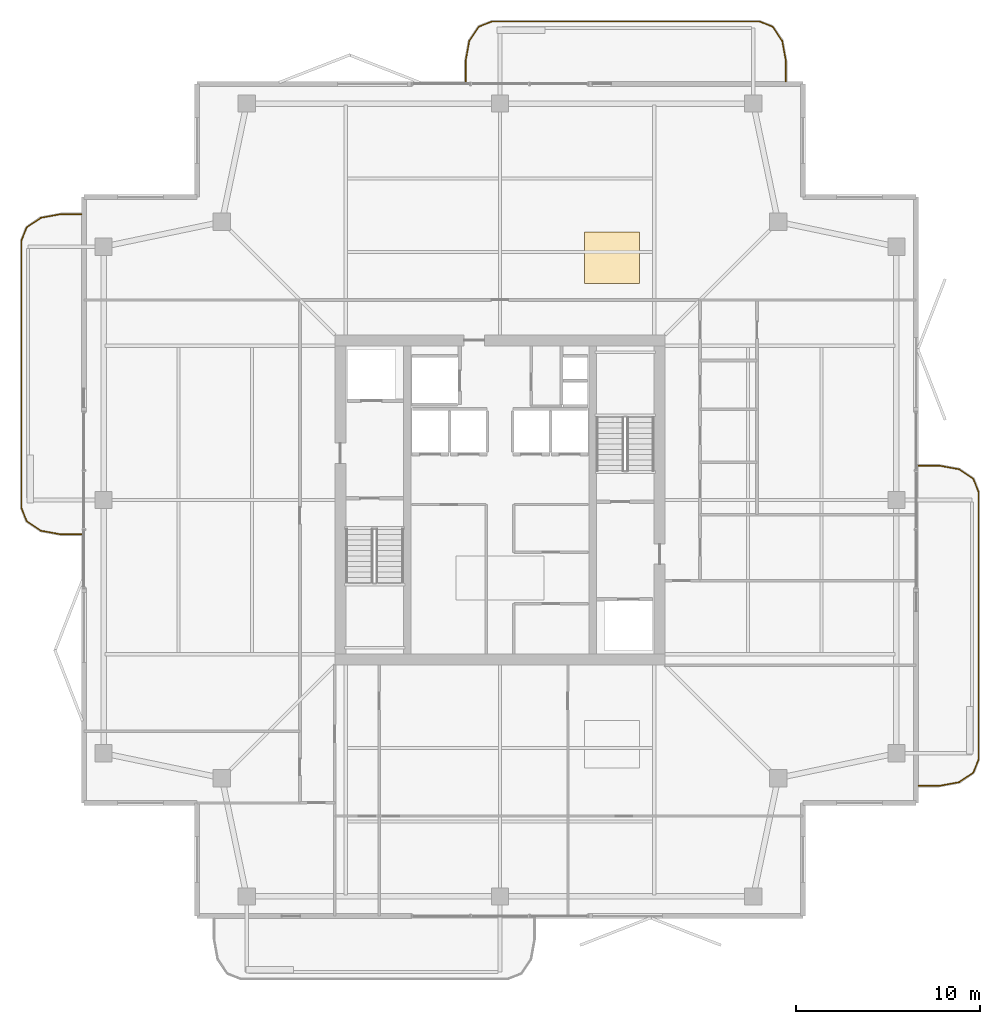
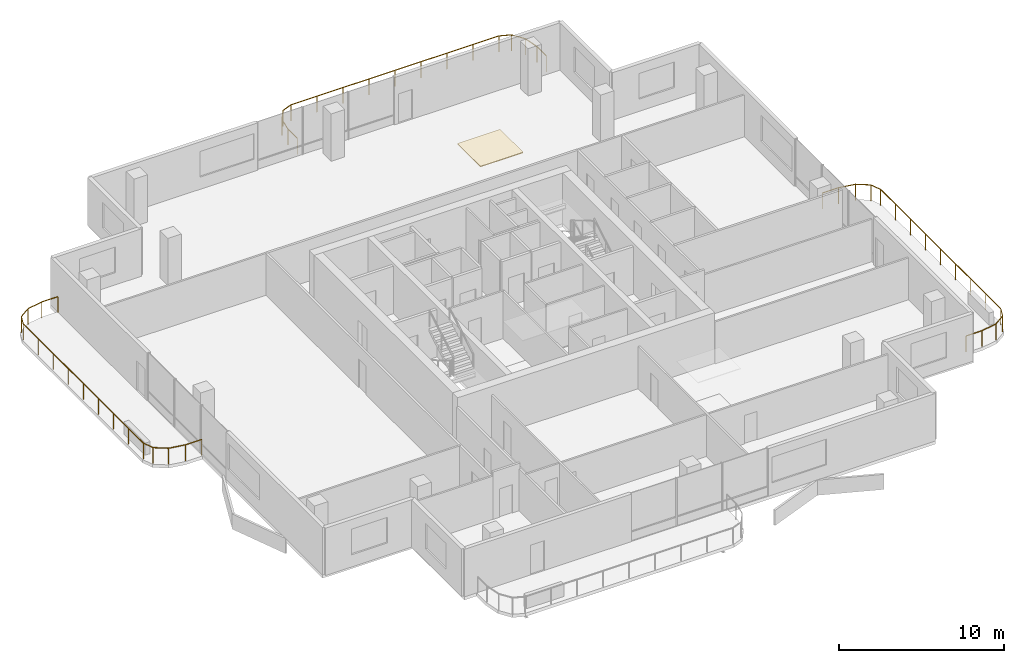
# One storey, part 17 of 17: 3 railings, 1 covering.
"""IFC4 building model written with IfcOpenShell, lengths in metres."""

from ifc_helpers import new_model, si_unit, direction, frame, origin, origin_2d, place, context, subcontext, project, spatial, polyline, rectangle, outline, extrude, material, layer, layer_set, type_object, element, save


model = new_model("IFC4")

# Units and contexts
model_context = context("Model", 3, precision=1e-05, world=origin(), true_north=direction((0.0, 1.0)))
body_context = subcontext(model_context, "Body", "Model", "MODEL_VIEW")
ifc_project = project(units=[si_unit("LENGTHUNIT", "METRE"), si_unit("AREAUNIT", "SQUARE_METRE"), si_unit("VOLUMEUNIT", "CUBIC_METRE"), si_unit("PLANEANGLEUNIT", "RADIAN"), si_unit("MASSUNIT", "GRAM", prefix="KILO")], contexts=[model_context])

# Site, building, storey
site_placement = place(None, origin())
site = spatial("IfcSite", under=ifc_project, at=site_placement, CompositionType="ELEMENT")
building_placement = place(site_placement, origin())
building = spatial("IfcBuilding", under=site, at=building_placement, Name="Belovzor Exchange Tower", CompositionType="ELEMENT")
storey_placement = place(building_placement, frame((0.0, 0.0, 325.5)))
storey = spatial("IfcBuildingStorey", under=building, at=storey_placement, Name="L81", CompositionType="ELEMENT", Elevation=325.5)

# Railings
ifc_material_1 = material(Name="Stainless Steel and Laminated Safety Glass", Category="steel")
railing_type = type_object("IfcRailingType", Name="Laminated Glass & Stainless Steel Balcony Balustrade 1200", PredefinedType="BALUSTRADE", material=ifc_material_1)
railing_1_placement = place(storey_placement, frame((44.3701171875, 51.610107421875, 0.0)))
element("IfcRailing", 1, at=railing_1_placement, inside=storey, type_object=railing_type, Name="GR-1 Balcony Balustrade L81 North", PredefinedType="BALUSTRADE", context=body_context, shape_type="SweptSolid", body=[
    extrude(rectangle(XDim=0.048095703125, YDim=0.048095703125, at=origin_2d()), frame((0.0, 0.0, 1.17578125), z_axis=(0.0, 1.0, 0.0), x_axis=(-1.0, 0.0, 0.0)), (0.0, 0.0, 1.0), 1.1328125),
    extrude(rectangle(XDim=0.048095703125, YDim=0.048095703125, at=origin_2d()), frame((0.0, 1.1328125, 1.17578125), z_axis=(-0.180083182347, 0.983651385113, 0.0), x_axis=(-0.983651385113, -0.180083182347, 0.0)), (0.0, 0.0, 1.0), 1.093994140625),
    extrude(rectangle(XDim=0.048095703125, YDim=0.048095703125, at=origin_2d()), frame((-0.197021484375, 2.208984375, 1.17578125), z_axis=(-0.56294695933, 0.826493025367, 0.0), x_axis=(-0.826493025367, -0.56294695933, 0.0)), (0.0, 0.0, 1.0), 0.932861328125),
    extrude(rectangle(XDim=0.048095703125, YDim=0.048095703125, at=origin_2d()), frame((-0.72216796875, 2.97998046875, 1.17578125), z_axis=(-0.930766990125, 0.365612923861, 0.0), x_axis=(-0.365612923861, -0.930766990125, 0.0)), (0.0, 0.0, 1.0), 0.765869140625),
    extrude(rectangle(XDim=0.048095703125, YDim=0.048095703125, at=origin_2d()), frame((-1.43505859375, 3.260009765625, 1.17578125), z_axis=(-1.0, 0.0, 0.0), x_axis=(0.0, -1.0, 0.0)), (0.0, 0.0, 1.0), 14.570068359375),
    extrude(rectangle(XDim=0.048095703125, YDim=0.048095703125, at=origin_2d()), frame((-16.005126953125, 3.260009765625, 1.17578125), z_axis=(-0.930766990125, -0.365612923861, 0.0), x_axis=(0.365612923861, -0.930766990125, 0.0)), (0.0, 0.0, 1.0), 0.765869140625),
    extrude(rectangle(XDim=0.048095703125, YDim=0.048095703125, at=origin_2d()), frame((-16.718017578125, 2.97998046875, 1.17578125), z_axis=(-0.56294695933, -0.826493025367, 0.0), x_axis=(0.826493025367, -0.56294695933, 0.0)), (0.0, 0.0, 1.0), 0.932861328125),
    extrude(rectangle(XDim=0.048095703125, YDim=0.048095703125, at=origin_2d()), frame((-17.2431640625, 2.208984375, 1.17578125), z_axis=(-0.180083182347, -0.983651385113, 0.0), x_axis=(0.983651385113, -0.180083182347, 0.0)), (0.0, 0.0, 1.0), 1.093994140625),
    extrude(rectangle(XDim=0.048095703125, YDim=0.048095703125, at=origin_2d()), frame((-17.440185546875, 1.1328125, 1.17578125), z_axis=(0.0, -1.0, 0.0), x_axis=(1.0, 0.0, 0.0)), (0.0, 0.0, 1.0), 1.1328125),
    extrude(rectangle(XDim=0.0419921875, YDim=0.0419921875, at=origin_2d()), origin(), (0.0, 0.0, 1.0), 1.15185546875),
    extrude(rectangle(XDim=0.0419921875, YDim=0.0419921875, at=origin_2d()), frame((0.0, 1.1328125, 0.0)), (0.0, 0.0, 1.0), 1.15185546875),
    extrude(rectangle(XDim=0.0419921875, YDim=0.0419921875, at=origin_2d()), frame((-0.197021484375, 2.208984375, 0.0)), (0.0, 0.0, 1.0), 1.15185546875),
    extrude(rectangle(XDim=0.0419921875, YDim=0.0419921875, at=origin_2d()), frame((-0.72216796875, 2.97998046875, 0.0)), (0.0, 0.0, 1.0), 1.15185546875),
    extrude(rectangle(XDim=0.0419921875, YDim=0.0419921875, at=origin_2d()), frame((-1.43505859375, 3.260009765625, 0.0)), (0.0, 0.0, 1.0), 1.15185546875),
    extrude(rectangle(XDim=0.0419921875, YDim=0.0419921875, at=origin_2d()), frame((-3.25634765625, 3.260009765625, 0.0)), (0.0, 0.0, 1.0), 1.15185546875),
    extrude(rectangle(XDim=0.0419921875, YDim=0.0419921875, at=origin_2d()), frame((-5.07763671875, 3.260009765625, 0.0)), (0.0, 0.0, 1.0), 1.15185546875),
    extrude(rectangle(XDim=0.0419921875, YDim=0.0419921875, at=origin_2d()), frame((-6.89892578125, 3.260009765625, 0.0)), (0.0, 0.0, 1.0), 1.15185546875),
    extrude(rectangle(XDim=0.0419921875, YDim=0.0419921875, at=origin_2d()), frame((-8.72021484375, 3.260009765625, 0.0)), (0.0, 0.0, 1.0), 1.15185546875),
    extrude(rectangle(XDim=0.0419921875, YDim=0.0419921875, at=origin_2d()), frame((-10.541259765625, 3.260009765625, 0.0)), (0.0, 0.0, 1.0), 1.15185546875),
    extrude(rectangle(XDim=0.0419921875, YDim=0.0419921875, at=origin_2d()), frame((-12.362548828125, 3.260009765625, 0.0)), (0.0, 0.0, 1.0), 1.15185546875),
    extrude(rectangle(XDim=0.0419921875, YDim=0.0419921875, at=origin_2d()), frame((-14.183837890625, 3.260009765625, 0.0)), (0.0, 0.0, 1.0), 1.15185546875),
    extrude(rectangle(XDim=0.0419921875, YDim=0.0419921875, at=origin_2d()), frame((-16.005126953125, 3.260009765625, 0.0)), (0.0, 0.0, 1.0), 1.15185546875),
    extrude(rectangle(XDim=0.0419921875, YDim=0.0419921875, at=origin_2d()), frame((-16.718017578125, 2.97998046875, 0.0)), (0.0, 0.0, 1.0), 1.15185546875),
    extrude(rectangle(XDim=0.0419921875, YDim=0.0419921875, at=origin_2d()), frame((-17.2431640625, 2.208984375, 0.0)), (0.0, 0.0, 1.0), 1.15185546875),
    extrude(rectangle(XDim=0.0419921875, YDim=0.0419921875, at=origin_2d()), frame((-17.440185546875, 1.1328125, 0.0)), (0.0, 0.0, 1.0), 1.15185546875),
    extrude(rectangle(XDim=0.0419921875, YDim=0.0419921875, at=origin_2d()), frame((-17.440185546875, 0.0, 0.0)), (0.0, 0.0, 1.0), 1.15185546875),
])
railing_2_placement = place(storey_placement, frame((51.610107421875, 13.22998046875, 0.0)))
element("IfcRailing", 2, at=railing_2_placement, inside=storey, type_object=railing_type, Name="GR-1 Balcony Balustrade L81 East", PredefinedType="BALUSTRADE", context=body_context, shape_type="SweptSolid", body=[
    extrude(rectangle(XDim=0.048095703125, YDim=0.048095703125, at=origin_2d()), frame((0.0, 0.0, 1.17578125), z_axis=(1.0, 0.0, 0.0), x_axis=(0.0, 1.0, 0.0)), (0.0, 0.0, 1.0), 1.1328125),
    extrude(rectangle(XDim=0.048095703125, YDim=0.048095703125, at=origin_2d()), frame((1.1328125, 0.0, 1.17578125), z_axis=(0.983651385113, 0.180083182347, 0.0), x_axis=(-0.180083182347, 0.983651385113, 0.0)), (0.0, 0.0, 1.0), 1.093994140625),
    extrude(rectangle(XDim=0.048095703125, YDim=0.048095703125, at=origin_2d()), frame((2.208984375, 0.197021484375, 1.17578125), z_axis=(0.826614792125, 0.562768145367, 0.0), x_axis=(-0.562768145367, 0.826614792125, 0.0)), (0.0, 0.0, 1.0), 0.9326171875),
    extrude(rectangle(XDim=0.048095703125, YDim=0.048095703125, at=origin_2d()), frame((2.97998046875, 0.721923828125, 1.17578125), z_axis=(0.365504480807, 0.930809580156, 0.0), x_axis=(-0.930809580156, 0.365504480807, 0.0)), (0.0, 0.0, 1.0), 0.76611328125),
    extrude(rectangle(XDim=0.048095703125, YDim=0.048095703125, at=origin_2d()), frame((3.260009765625, 1.43505859375, 1.17578125), z_axis=(0.0, 1.0, 0.0), x_axis=(-1.0, 0.0, 0.0)), (0.0, 0.0, 1.0), 14.570068359375),
    extrude(rectangle(XDim=0.048095703125, YDim=0.048095703125, at=origin_2d()), frame((3.260009765625, 16.005126953125, 1.17578125), z_axis=(-0.365612923861, 0.930766990125, 0.0), x_axis=(-0.930766990125, -0.365612923861, 0.0)), (0.0, 0.0, 1.0), 0.765869140625),
    extrude(rectangle(XDim=0.048095703125, YDim=0.048095703125, at=origin_2d()), frame((2.97998046875, 16.718017578125, 1.17578125), z_axis=(-0.826614792125, 0.562768145367, 0.0), x_axis=(-0.562768145367, -0.826614792125, 0.0)), (0.0, 0.0, 1.0), 0.9326171875),
    extrude(rectangle(XDim=0.048095703125, YDim=0.048095703125, at=origin_2d()), frame((2.208984375, 17.242919921875, 1.17578125), z_axis=(-0.983651385113, 0.180083182347, 0.0), x_axis=(-0.180083182347, -0.983651385113, 0.0)), (0.0, 0.0, 1.0), 1.093994140625),
    extrude(rectangle(XDim=0.048095703125, YDim=0.048095703125, at=origin_2d()), frame((1.1328125, 17.43994140625, 1.17578125), z_axis=(-1.0, 0.0, 0.0), x_axis=(0.0, -1.0, 0.0)), (0.0, 0.0, 1.0), 1.1328125),
    extrude(rectangle(XDim=0.0419921875, YDim=0.0419921875, at=origin_2d()), origin(), (0.0, 0.0, 1.0), 1.15185546875),
    extrude(rectangle(XDim=0.0419921875, YDim=0.0419921875, at=origin_2d()), frame((1.1328125, 0.0, 0.0)), (0.0, 0.0, 1.0), 1.15185546875),
    extrude(rectangle(XDim=0.0419921875, YDim=0.0419921875, at=origin_2d()), frame((2.208984375, 0.197021484375, 0.0)), (0.0, 0.0, 1.0), 1.15185546875),
    extrude(rectangle(XDim=0.0419921875, YDim=0.0419921875, at=origin_2d()), frame((2.97998046875, 0.721923828125, 0.0)), (0.0, 0.0, 1.0), 1.15185546875),
    extrude(rectangle(XDim=0.0419921875, YDim=0.0419921875, at=origin_2d()), frame((3.260009765625, 1.43505859375, 0.0)), (0.0, 0.0, 1.0), 1.15185546875),
    extrude(rectangle(XDim=0.0419921875, YDim=0.0419921875, at=origin_2d()), frame((3.260009765625, 3.25634765625, 0.0)), (0.0, 0.0, 1.0), 1.15185546875),
    extrude(rectangle(XDim=0.0419921875, YDim=0.0419921875, at=origin_2d()), frame((3.260009765625, 5.07763671875, 0.0)), (0.0, 0.0, 1.0), 1.15185546875),
    extrude(rectangle(XDim=0.0419921875, YDim=0.0419921875, at=origin_2d()), frame((3.260009765625, 6.89892578125, 0.0)), (0.0, 0.0, 1.0), 1.15185546875),
    extrude(rectangle(XDim=0.0419921875, YDim=0.0419921875, at=origin_2d()), frame((3.260009765625, 8.72021484375, 0.0)), (0.0, 0.0, 1.0), 1.15185546875),
    extrude(rectangle(XDim=0.0419921875, YDim=0.0419921875, at=origin_2d()), frame((3.260009765625, 10.541259765625, 0.0)), (0.0, 0.0, 1.0), 1.15185546875),
    extrude(rectangle(XDim=0.0419921875, YDim=0.0419921875, at=origin_2d()), frame((3.260009765625, 12.362548828125, 0.0)), (0.0, 0.0, 1.0), 1.15185546875),
    extrude(rectangle(XDim=0.0419921875, YDim=0.0419921875, at=origin_2d()), frame((3.260009765625, 14.183837890625, 0.0)), (0.0, 0.0, 1.0), 1.15185546875),
    extrude(rectangle(XDim=0.0419921875, YDim=0.0419921875, at=origin_2d()), frame((3.260009765625, 16.005126953125, 0.0)), (0.0, 0.0, 1.0), 1.15185546875),
    extrude(rectangle(XDim=0.0419921875, YDim=0.0419921875, at=origin_2d()), frame((2.97998046875, 16.718017578125, 0.0)), (0.0, 0.0, 1.0), 1.15185546875),
    extrude(rectangle(XDim=0.0419921875, YDim=0.0419921875, at=origin_2d()), frame((2.208984375, 17.242919921875, 0.0)), (0.0, 0.0, 1.0), 1.15185546875),
    extrude(rectangle(XDim=0.0419921875, YDim=0.0419921875, at=origin_2d()), frame((1.1328125, 17.43994140625, 0.0)), (0.0, 0.0, 1.0), 1.15185546875),
    extrude(rectangle(XDim=0.0419921875, YDim=0.0419921875, at=origin_2d()), frame((0.0, 17.43994140625, 0.0)), (0.0, 0.0, 1.0), 1.15185546875),
])
railing_3_placement = place(storey_placement, frame((5.989990234375, 44.3701171875, 0.0)))
element("IfcRailing", 3, at=railing_3_placement, inside=storey, type_object=railing_type, Name="GR-1 Balcony Balustrade L81 West", PredefinedType="BALUSTRADE", context=body_context, shape_type="SweptSolid", body=[
    extrude(rectangle(XDim=0.048095703125, YDim=0.048095703125, at=origin_2d()), frame((0.0, 0.0, 1.17578125), z_axis=(-1.0, 0.0, 0.0), x_axis=(0.0, -1.0, 0.0)), (0.0, 0.0, 1.0), 1.133056640625),
    extrude(rectangle(XDim=0.048095703125, YDim=0.048095703125, at=origin_2d()), frame((-1.133056640625, 0.0, 1.17578125), z_axis=(-0.983644145941, -0.180122719713, 0.0), x_axis=(0.180122719713, -0.983644145941, 0.0)), (0.0, 0.0, 1.0), 1.09375),
    extrude(rectangle(XDim=0.048095703125, YDim=0.048095703125, at=origin_2d()), frame((-2.208984375, -0.197021484375, 1.17578125), z_axis=(-0.826493025367, -0.56294695933, 0.0), x_axis=(0.56294695933, -0.826493025367, 0.0)), (0.0, 0.0, 1.0), 0.932861328125),
    extrude(rectangle(XDim=0.048095703125, YDim=0.048095703125, at=origin_2d()), frame((-2.97998046875, -0.72216796875, 1.17578125), z_axis=(-0.365612923861, -0.930766990125, 0.0), x_axis=(0.930766990125, -0.365612923861, 0.0)), (0.0, 0.0, 1.0), 0.765869140625),
    extrude(rectangle(XDim=0.048095703125, YDim=0.048095703125, at=origin_2d()), frame((-3.260009765625, -1.43505859375, 1.17578125), z_axis=(0.0, -1.0, 0.0), x_axis=(1.0, 0.0, 0.0)), (0.0, 0.0, 1.0), 14.570068359375),
    extrude(rectangle(XDim=0.048095703125, YDim=0.048095703125, at=origin_2d()), frame((-3.260009765625, -16.005126953125, 1.17578125), z_axis=(0.365612923861, -0.930766990125, 0.0), x_axis=(0.930766990125, 0.365612923861, 0.0)), (0.0, 0.0, 1.0), 0.765869140625),
    extrude(rectangle(XDim=0.048095703125, YDim=0.048095703125, at=origin_2d()), frame((-2.97998046875, -16.718017578125, 1.17578125), z_axis=(0.826493025367, -0.56294695933, 0.0), x_axis=(0.56294695933, 0.826493025367, 0.0)), (0.0, 0.0, 1.0), 0.932861328125),
    extrude(rectangle(XDim=0.048095703125, YDim=0.048095703125, at=origin_2d()), frame((-2.208984375, -17.2431640625, 1.17578125), z_axis=(0.983644145941, -0.180122719713, 0.0), x_axis=(0.180122719713, 0.983644145941, 0.0)), (0.0, 0.0, 1.0), 1.09375),
    extrude(rectangle(XDim=0.048095703125, YDim=0.048095703125, at=origin_2d()), frame((-1.133056640625, -17.440185546875, 1.17578125), z_axis=(1.0, 0.0, 0.0), x_axis=(0.0, 1.0, 0.0)), (0.0, 0.0, 1.0), 1.133056640625),
    extrude(rectangle(XDim=0.0419921875, YDim=0.0419921875, at=origin_2d()), origin(), (0.0, 0.0, 1.0), 1.15185546875),
    extrude(rectangle(XDim=0.0419921875, YDim=0.0419921875, at=origin_2d()), frame((-1.133056640625, 0.0, 0.0)), (0.0, 0.0, 1.0), 1.15185546875),
    extrude(rectangle(XDim=0.0419921875, YDim=0.0419921875, at=origin_2d()), frame((-2.208984375, -0.197021484375, 0.0)), (0.0, 0.0, 1.0), 1.15185546875),
    extrude(rectangle(XDim=0.0419921875, YDim=0.0419921875, at=origin_2d()), frame((-2.97998046875, -0.72216796875, 0.0)), (0.0, 0.0, 1.0), 1.15185546875),
    extrude(rectangle(XDim=0.0419921875, YDim=0.0419921875, at=origin_2d()), frame((-3.260009765625, -1.43505859375, 0.0)), (0.0, 0.0, 1.0), 1.15185546875),
    extrude(rectangle(XDim=0.0419921875, YDim=0.0419921875, at=origin_2d()), frame((-3.260009765625, -3.25634765625, 0.0)), (0.0, 0.0, 1.0), 1.15185546875),
    extrude(rectangle(XDim=0.0419921875, YDim=0.0419921875, at=origin_2d()), frame((-3.260009765625, -5.07763671875, 0.0)), (0.0, 0.0, 1.0), 1.15185546875),
    extrude(rectangle(XDim=0.0419921875, YDim=0.0419921875, at=origin_2d()), frame((-3.260009765625, -6.89892578125, 0.0)), (0.0, 0.0, 1.0), 1.15185546875),
    extrude(rectangle(XDim=0.0419921875, YDim=0.0419921875, at=origin_2d()), frame((-3.260009765625, -8.72021484375, 0.0)), (0.0, 0.0, 1.0), 1.15185546875),
    extrude(rectangle(XDim=0.0419921875, YDim=0.0419921875, at=origin_2d()), frame((-3.260009765625, -10.541259765625, 0.0)), (0.0, 0.0, 1.0), 1.15185546875),
    extrude(rectangle(XDim=0.0419921875, YDim=0.0419921875, at=origin_2d()), frame((-3.260009765625, -12.362548828125, 0.0)), (0.0, 0.0, 1.0), 1.15185546875),
    extrude(rectangle(XDim=0.0419921875, YDim=0.0419921875, at=origin_2d()), frame((-3.260009765625, -14.183837890625, 0.0)), (0.0, 0.0, 1.0), 1.15185546875),
    extrude(rectangle(XDim=0.0419921875, YDim=0.0419921875, at=origin_2d()), frame((-3.260009765625, -16.005126953125, 0.0)), (0.0, 0.0, 1.0), 1.15185546875),
    extrude(rectangle(XDim=0.0419921875, YDim=0.0419921875, at=origin_2d()), frame((-2.97998046875, -16.718017578125, 0.0)), (0.0, 0.0, 1.0), 1.15185546875),
    extrude(rectangle(XDim=0.0419921875, YDim=0.0419921875, at=origin_2d()), frame((-2.208984375, -17.2431640625, 0.0)), (0.0, 0.0, 1.0), 1.15185546875),
    extrude(rectangle(XDim=0.0419921875, YDim=0.0419921875, at=origin_2d()), frame((-1.133056640625, -17.440185546875, 0.0)), (0.0, 0.0, 1.0), 1.15185546875),
    extrude(rectangle(XDim=0.0419921875, YDim=0.0419921875, at=origin_2d()), frame((0.0, -17.440185546875, 0.0)), (0.0, 0.0, 1.0), 1.15185546875),
])

# Covering
ifc_material_2 = material(Name="Perforated Powder-Coated Aluminium", Category="aluminium")
ifc_layer = layer(ifc_material_2, 0.06005859375)
ifc_layer_set = layer_set([ifc_layer], Name="Perforated Powder-Coated Aluminium")
covering_type = type_object("IfcCoveringType", Name="Perforated Acoustic Metal Tile Suspended Ceiling 60", PredefinedType="CEILING", material=ifc_layer_set)
covering_placement = place(storey_placement, frame((0.0, 0.0, 3.449951171875)))
element("IfcCovering", 4, at=covering_placement, inside=storey, type_object=covering_type, Name="CLG-AC60 Suspended Ceiling CLG-L81-Z2", PredefinedType="CEILING", context=body_context, shape_type="SweptSolid", body=[
    extrude(outline(polyline([(33.39990234375, 40.60009765625), (36.39990234375, 40.60009765625), (36.39990234375, 43.39990234375), (33.39990234375, 43.39990234375), (33.39990234375, 40.60009765625)])), origin(), (0.0, 0.0, 1.0), 0.06005859375),
])

save(model, "model.ifc")
